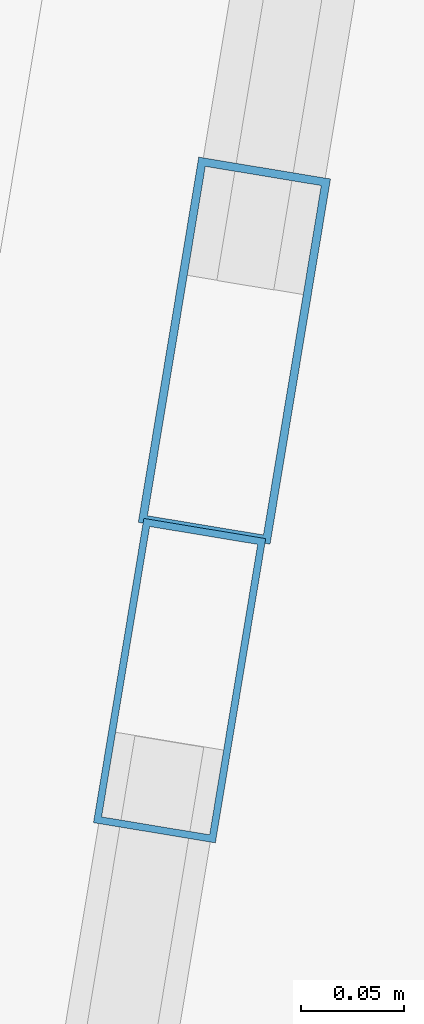
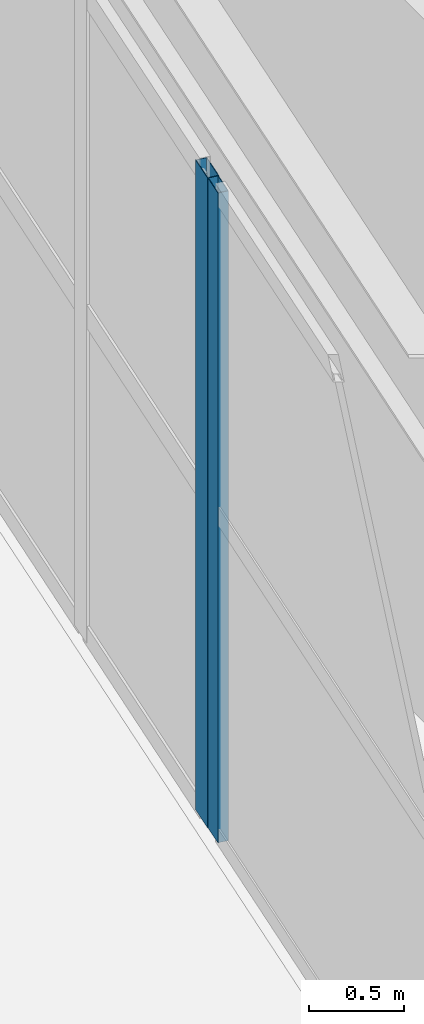
# One storey, part 50 of 126: 2 members, 2 elements without a shape of their own.
"""IFC4 building model written with IfcOpenShell, lengths in metres."""

from ifc_helpers import new_model, si_unit, direction, frame, origin, origin_2d, place, context, subcontext, project, spatial, hollow_rectangle, extrude, material, layer, layer_set, material_profile, profile_set, type_object, element, aggregate, save


model = new_model("IFC4")

# Units and contexts
model_context = context("Model", 3, precision=1e-05, world=origin(), true_north=direction((0.0, 1.0)))
body_context = subcontext(model_context, "Body", "Model", "MODEL_VIEW")
ifc_project = project(units=[si_unit("LENGTHUNIT", "METRE"), si_unit("AREAUNIT", "SQUARE_METRE"), si_unit("VOLUMEUNIT", "CUBIC_METRE"), si_unit("PLANEANGLEUNIT", "RADIAN"), si_unit("MASSUNIT", "GRAM", prefix="KILO")], contexts=[model_context])

# Site, building, storey
site_placement = place(None, origin())
site = spatial("IfcSite", under=ifc_project, at=site_placement, CompositionType="ELEMENT")
building_placement = place(site_placement, origin())
building = spatial("IfcBuilding", under=site, at=building_placement, Name="Kalgoora Escarpment Arena", CompositionType="ELEMENT")
storey_placement = place(building_placement, frame((0.0, 0.0, 18.89990234375)))
storey = spatial("IfcBuildingStorey", under=building, at=storey_placement, Name="L04", CompositionType="ELEMENT", Elevation=18.89990234375)

# Curtain wall, member
ifc_material_1 = material(Name=" Champagne anodised aluminium & double-glazed low-E", Category="aluminium")
ifc_layer_1 = layer(ifc_material_1, 0.14990234375)
ifc_layer_set_1 = layer_set([ifc_layer_1], Name="CW-UNIT-20")
curtain_wall_type_1 = type_object("IfcCurtainWallType", Name="CW-UNIT-20", PredefinedType="NOTDEFINED", material=ifc_layer_set_1)
curtain_wall_1_placement = place(storey_placement, origin())
curtain_wall_1 = element("IfcCurtainWall", 1, at=curtain_wall_1_placement, inside=storey, type_object=curtain_wall_type_1, Name="L04 unitised facade curtain wall 139", PredefinedType="NOTDEFINED")
ifc_material_2 = material(Name="Anodised aluminium 6063-T6", Category="aluminium")
ifc_material_profile_1 = material_profile(ifc_material_2, hollow_rectangle(XDim=0.06005859375, YDim=0.14990234375, WallThickness=0.00341796875, at=origin_2d()))
ifc_profile_set_1 = profile_set([ifc_material_profile_1], Name="Anodised aluminium 6063-T6")
member_type_1 = type_object("IfcMemberType", Name="MEM-CW-MULL-150", PredefinedType="MULLION", material=ifc_profile_set_1)
member_1_placement = place(storey_placement, frame((21.3388671875, 71.35546875, 0.02001953125), z_axis=(0.0, 0.0, 1.0), x_axis=(-0.986584326831, 0.163252461087, 0.0)))
member_1 = element("IfcMember", 2, at=member_1_placement, type_object=member_type_1, Name="CW-20 mullion 2", PredefinedType="MULLION", context=body_context, shape_type="SweptSolid", body=[
    extrude(hollow_rectangle(XDim=0.06005859375, YDim=0.14990234375, WallThickness=0.00341796875, at=origin_2d()), origin(), (0.0, 0.0, 1.0), 4.16015625),
])
aggregate(curtain_wall_1, [member_1])

ifc_material_3 = material(Name=" Champagne anodised aluminium & double-glazed low-E", Category="aluminium")
ifc_layer_2 = layer(ifc_material_3, 0.154052734375)
ifc_layer_set_2 = layer_set([ifc_layer_2], Name="CW-UNIT-01")
curtain_wall_type_2 = type_object("IfcCurtainWallType", Name="CW-UNIT-01", PredefinedType="NOTDEFINED", material=ifc_layer_set_2)
curtain_wall_2_placement = place(storey_placement, origin())
curtain_wall_2 = element("IfcCurtainWall", 3, at=curtain_wall_2_placement, inside=storey, type_object=curtain_wall_type_2, Name="L04 unitised facade curtain wall 140", PredefinedType="NOTDEFINED")
ifc_material_4 = material(Name="Anodised aluminium 6063-T6", Category="aluminium")
ifc_material_profile_2 = material_profile(ifc_material_4, hollow_rectangle(XDim=0.06494140625, YDim=0.179931640625, WallThickness=0.00390625, at=origin_2d()))
ifc_profile_set_2 = profile_set([ifc_material_profile_2], Name="Anodised aluminium 6063-T6")
member_type_2 = type_object("IfcMemberType", Name="MEM-CW-MULL-180", PredefinedType="MULLION", material=ifc_profile_set_2)
member_2_placement = place(storey_placement, frame((21.365478515625, 71.515869140625, 0.02001953125), z_axis=(0.0, 0.0, 1.0), x_axis=(-0.986584326831, 0.163252461087, 0.0)))
member_2 = element("IfcMember", 4, at=member_2_placement, type_object=member_type_2, Name="CW-01 mullion 1", PredefinedType="MULLION", context=body_context, shape_type="SweptSolid", body=[
    extrude(hollow_rectangle(XDim=0.06494140625, YDim=0.179931640625, WallThickness=0.00390625, at=origin_2d()), origin(), (0.0, 0.0, 1.0), 4.16015625),
])
aggregate(curtain_wall_2, [member_2])

save(model, "model.ifc")
